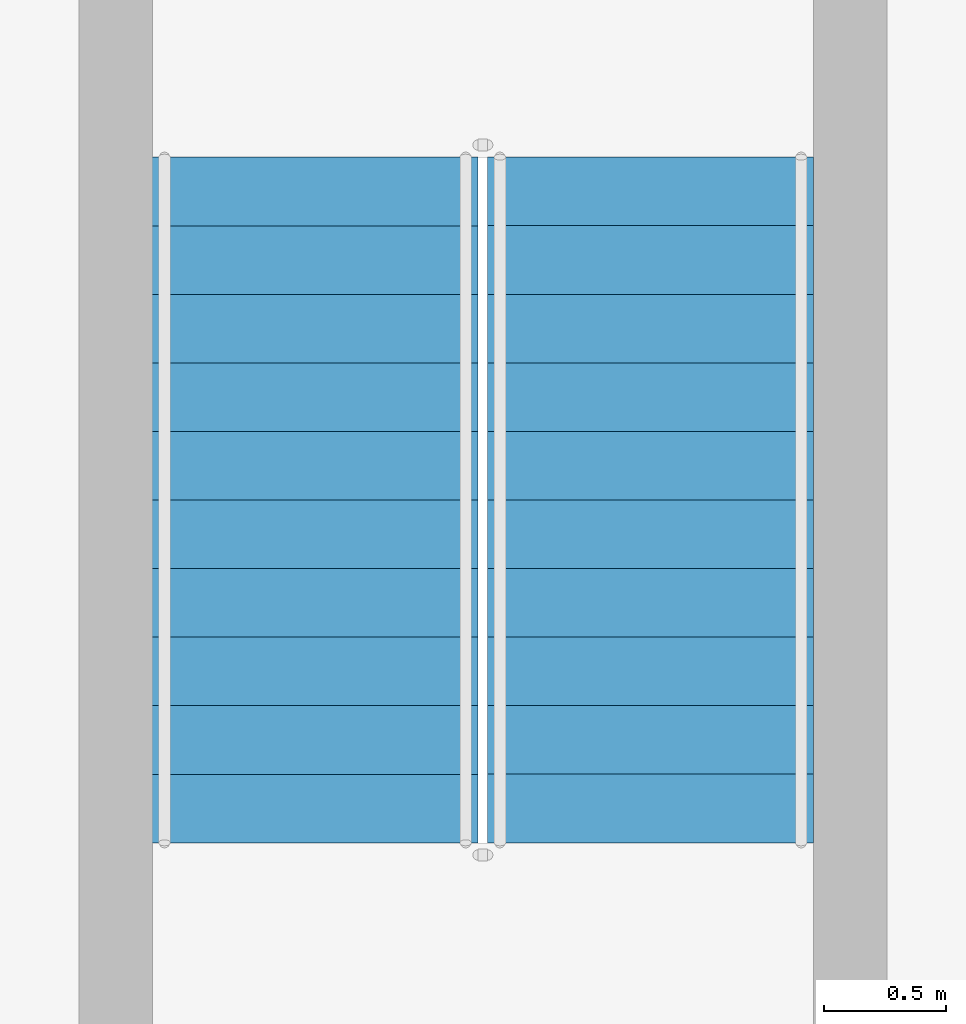
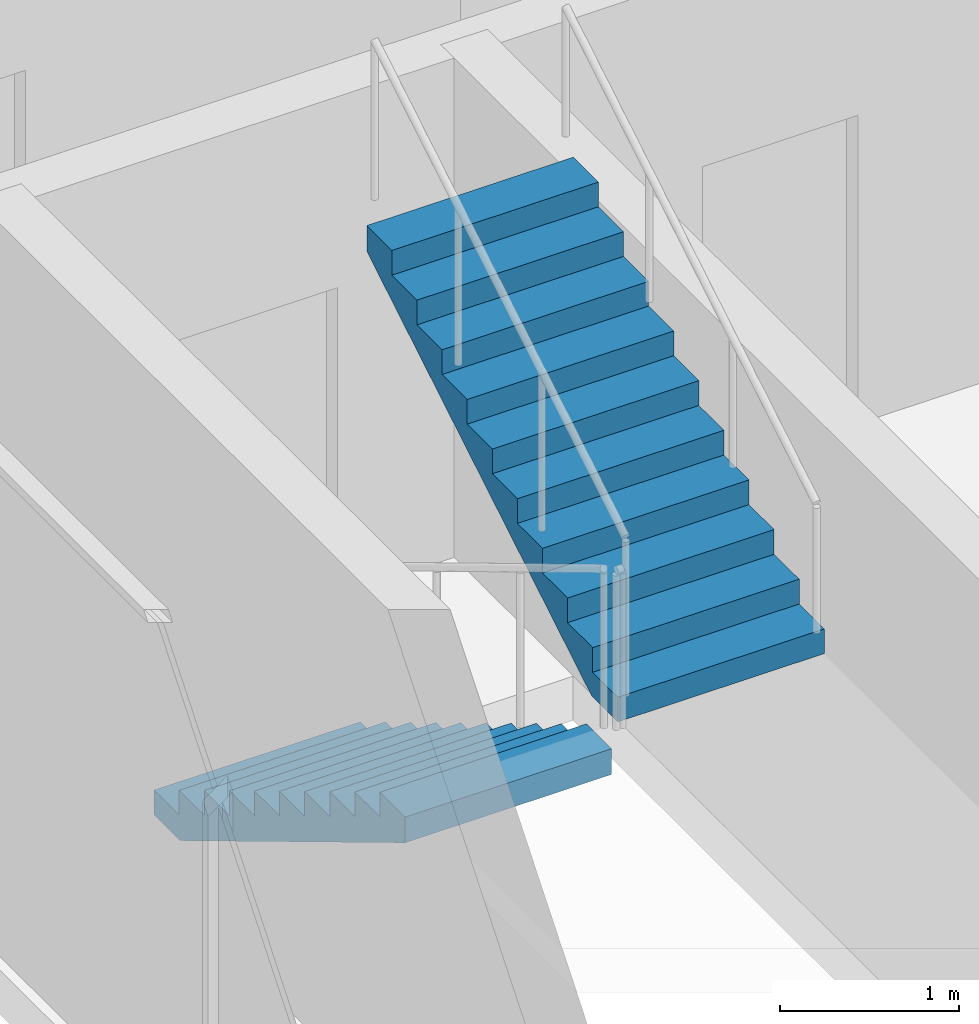
# One storey, part 15 of 23: 2 stair flights, 1 element without a shape of its own.
"""IFC4 building model written with IfcOpenShell, lengths in metres."""

from ifc_helpers import new_model, si_unit, direction, frame, origin, place, context, subcontext, project, spatial, triangles, source, transform, mapped, material, type_object, element, aggregate, save


model = new_model("IFC4")

# Units and contexts
model_context = context("Model", 3, precision=1e-05, world=origin(), true_north=direction((0.0, 1.0)))
body_context = subcontext(model_context, "Body", "Model", "MODEL_VIEW")
ifc_project = project(units=[si_unit("LENGTHUNIT", "METRE"), si_unit("AREAUNIT", "SQUARE_METRE"), si_unit("VOLUMEUNIT", "CUBIC_METRE"), si_unit("PLANEANGLEUNIT", "RADIAN"), si_unit("MASSUNIT", "GRAM", prefix="KILO")], contexts=[model_context])

# Site, building, storey
site_placement = place(None, origin())
site = spatial("IfcSite", under=ifc_project, at=site_placement, CompositionType="ELEMENT")
building_placement = place(site_placement, origin())
building = spatial("IfcBuilding", under=site, at=building_placement, Name="Ogive Portal Towers", CompositionType="ELEMENT")
storey_placement = place(building_placement, frame((0.0, 0.0, 168.10009765625)))
storey = spatial("IfcBuildingStorey", under=building, at=storey_placement, Name="L41", CompositionType="ELEMENT", Elevation=168.10009765625)

# Stair, stair flights
ifc_material = material(Name="Concrete C40/50", Category="concrete")
stair_type = type_object("IfcStairType", Name="INT-STAIR", PredefinedType="HALF_TURN_STAIR", material=ifc_material)
stair_placement = place(storey_placement, origin())
stair = element("IfcStair", 1, at=stair_placement, inside=storey, type_object=stair_type, Name="L41 Exit Stair ST-A4", PredefinedType="HALF_TURN_STAIR")
stair_flight_type = type_object("IfcStairFlightType", Name="INT-FLIGHT", PredefinedType="STRAIGHT", material=ifc_material)
shared_shape = source(origin(), body_context, "Body", "Tessellation", [
    triangles([(0.0, -0.6650390625, 0.0), (0.0, -0.384765625, 0.0), (0.0, -0.197021484375, 0.0), (0.0, -0.0830078125, 0.0), (0.0, -0.024658203125, 0.0), (0.0, -0.003173828125, 0.0), (0.0, 0.0, 0.0), (0.0, 0.003173828125, 0.0), (0.0, 0.024658203125, 0.0), (0.0, 0.0830078125, 0.0), (0.0, 0.197021484375, 0.0), (0.0, 0.384765625, 0.0), (0.0, 0.6650390625, 0.0), (0.0, -0.6650390625, 0.168212890625), (0.0, -0.384765625, 0.168212890625), (0.0, -0.197021484375, 0.168212890625), (0.0, -0.0830078125, 0.168212890625), (0.0, -0.024658203125, 0.168212890625), (0.0, -0.003173828125, 0.168212890625), (0.0, 0.0, 0.168212890625), (0.0, 0.003173828125, 0.168212890625), (0.0, 0.024658203125, 0.168212890625), (0.0, 0.0830078125, 0.168212890625), (0.0, 0.197021484375, 0.168212890625), (0.0, 0.384765625, 0.168212890625), (0.0, 0.6650390625, 0.168212890625), (0.280029296875, -0.6650390625, 0.168212890625), (0.280029296875, -0.384765625, 0.168212890625), (0.280029296875, -0.197021484375, 0.168212890625), (0.280029296875, -0.0830078125, 0.168212890625), (0.280029296875, -0.024658203125, 0.168212890625), (0.280029296875, -0.003173828125, 0.168212890625), (0.280029296875, 0.0, 0.168212890625), (0.280029296875, 0.003173828125, 0.168212890625), (0.280029296875, 0.024658203125, 0.168212890625), (0.280029296875, 0.0830078125, 0.168212890625), (0.280029296875, 0.197021484375, 0.168212890625), (0.280029296875, 0.384765625, 0.168212890625), (0.280029296875, 0.6650390625, 0.168212890625), (0.280029296875, -0.6650390625, 0.33642578125), (0.280029296875, -0.384765625, 0.33642578125), (0.280029296875, -0.197021484375, 0.33642578125), (0.280029296875, -0.0830078125, 0.33642578125), (0.280029296875, -0.024658203125, 0.33642578125), (0.280029296875, -0.003173828125, 0.33642578125), (0.280029296875, 0.0, 0.33642578125), (0.280029296875, 0.003173828125, 0.33642578125), (0.280029296875, 0.024658203125, 0.33642578125), (0.280029296875, 0.0830078125, 0.33642578125), (0.280029296875, 0.197021484375, 0.33642578125), (0.280029296875, 0.384765625, 0.33642578125), (0.280029296875, 0.6650390625, 0.33642578125), (0.56005859375, -0.6650390625, 0.33642578125), (0.56005859375, -0.384765625, 0.33642578125), (0.56005859375, -0.197021484375, 0.33642578125), (0.56005859375, -0.0830078125, 0.33642578125), (0.56005859375, -0.024658203125, 0.33642578125), (0.56005859375, -0.003173828125, 0.33642578125), (0.56005859375, 0.0, 0.33642578125), (0.56005859375, 0.003173828125, 0.33642578125), (0.56005859375, 0.024658203125, 0.33642578125), (0.56005859375, 0.0830078125, 0.33642578125), (0.56005859375, 0.197021484375, 0.33642578125), (0.56005859375, 0.384765625, 0.33642578125), (0.56005859375, 0.6650390625, 0.33642578125), (0.56005859375, -0.6650390625, 0.504638671875), (0.56005859375, -0.384765625, 0.504638671875), (0.56005859375, -0.197021484375, 0.504638671875), (0.56005859375, -0.0830078125, 0.504638671875), (0.56005859375, -0.024658203125, 0.504638671875), (0.56005859375, -0.003173828125, 0.504638671875), (0.56005859375, 0.0, 0.504638671875), (0.56005859375, 0.003173828125, 0.504638671875), (0.56005859375, 0.024658203125, 0.504638671875), (0.56005859375, 0.0830078125, 0.504638671875), (0.56005859375, 0.197021484375, 0.504638671875), (0.56005859375, 0.384765625, 0.504638671875), (0.56005859375, 0.6650390625, 0.504638671875), (0.840087890625, -0.6650390625, 0.504638671875), (0.840087890625, -0.384765625, 0.504638671875), (0.840087890625, -0.197021484375, 0.504638671875), (0.840087890625, -0.0830078125, 0.504638671875), (0.840087890625, -0.024658203125, 0.504638671875), (0.840087890625, -0.003173828125, 0.504638671875), (0.840087890625, 0.0, 0.504638671875), (0.840087890625, 0.003173828125, 0.504638671875), (0.840087890625, 0.024658203125, 0.504638671875), (0.840087890625, 0.0830078125, 0.504638671875), (0.840087890625, 0.197021484375, 0.504638671875), (0.840087890625, 0.384765625, 0.504638671875), (0.840087890625, 0.6650390625, 0.504638671875), (0.840087890625, -0.6650390625, 0.672607421875), (0.840087890625, -0.384765625, 0.672607421875), (0.840087890625, -0.197021484375, 0.672607421875), (0.840087890625, -0.0830078125, 0.672607421875), (0.840087890625, -0.024658203125, 0.672607421875), (0.840087890625, -0.003173828125, 0.672607421875), (0.840087890625, 0.0, 0.672607421875), (0.840087890625, 0.003173828125, 0.672607421875), (0.840087890625, 0.024658203125, 0.672607421875), (0.840087890625, 0.0830078125, 0.672607421875), (0.840087890625, 0.197021484375, 0.672607421875), (0.840087890625, 0.384765625, 0.672607421875), (0.840087890625, 0.6650390625, 0.672607421875), (1.1201171875, -0.6650390625, 0.672607421875), (1.1201171875, -0.384765625, 0.672607421875), (1.1201171875, -0.197021484375, 0.672607421875), (1.1201171875, -0.0830078125, 0.672607421875), (1.1201171875, -0.024658203125, 0.672607421875), (1.1201171875, -0.003173828125, 0.672607421875), (1.1201171875, 0.0, 0.672607421875), (1.1201171875, 0.003173828125, 0.672607421875), (1.1201171875, 0.024658203125, 0.672607421875), (1.1201171875, 0.0830078125, 0.672607421875), (1.1201171875, 0.197021484375, 0.672607421875), (1.1201171875, 0.384765625, 0.672607421875), (1.1201171875, 0.6650390625, 0.672607421875), (1.1201171875, -0.6650390625, 0.8408203125), (1.1201171875, -0.384765625, 0.8408203125), (1.1201171875, -0.197021484375, 0.8408203125), (1.1201171875, -0.0830078125, 0.8408203125), (1.1201171875, -0.024658203125, 0.8408203125), (1.1201171875, -0.003173828125, 0.8408203125), (1.1201171875, 0.0, 0.8408203125), (1.1201171875, 0.003173828125, 0.8408203125), (1.1201171875, 0.024658203125, 0.8408203125), (1.1201171875, 0.0830078125, 0.8408203125), (1.1201171875, 0.197021484375, 0.8408203125), (1.1201171875, 0.384765625, 0.8408203125), (1.1201171875, 0.6650390625, 0.8408203125), (1.39990234375, -0.6650390625, 0.8408203125), (1.39990234375, -0.384765625, 0.8408203125), (1.39990234375, -0.197021484375, 0.8408203125), (1.39990234375, -0.0830078125, 0.8408203125), (1.39990234375, -0.024658203125, 0.8408203125), (1.39990234375, -0.003173828125, 0.8408203125), (1.39990234375, 0.0, 0.8408203125), (1.39990234375, 0.003173828125, 0.8408203125), (1.39990234375, 0.024658203125, 0.8408203125), (1.39990234375, 0.0830078125, 0.8408203125), (1.39990234375, 0.197021484375, 0.8408203125), (1.39990234375, 0.384765625, 0.8408203125), (1.39990234375, 0.6650390625, 0.8408203125), (1.39990234375, -0.6650390625, 1.009033203125), (1.39990234375, -0.384765625, 1.009033203125), (1.39990234375, -0.197021484375, 1.009033203125), (1.39990234375, -0.0830078125, 1.009033203125), (1.39990234375, -0.024658203125, 1.009033203125), (1.39990234375, -0.003173828125, 1.009033203125), (1.39990234375, 0.0, 1.009033203125), (1.39990234375, 0.003173828125, 1.009033203125), (1.39990234375, 0.024658203125, 1.009033203125), (1.39990234375, 0.0830078125, 1.009033203125), (1.39990234375, 0.197021484375, 1.009033203125), (1.39990234375, 0.384765625, 1.009033203125), (1.39990234375, 0.6650390625, 1.009033203125), (1.679931640625, -0.6650390625, 1.009033203125), (1.679931640625, -0.384765625, 1.009033203125), (1.679931640625, -0.197021484375, 1.009033203125), (1.679931640625, -0.0830078125, 1.009033203125), (1.679931640625, -0.024658203125, 1.009033203125), (1.679931640625, -0.003173828125, 1.009033203125), (1.679931640625, 0.0, 1.009033203125), (1.679931640625, 0.003173828125, 1.009033203125), (1.679931640625, 0.024658203125, 1.009033203125), (1.679931640625, 0.0830078125, 1.009033203125), (1.679931640625, 0.197021484375, 1.009033203125), (1.679931640625, 0.384765625, 1.009033203125), (1.679931640625, 0.6650390625, 1.009033203125), (1.679931640625, -0.6650390625, 1.17724609375), (1.679931640625, -0.384765625, 1.17724609375), (1.679931640625, -0.197021484375, 1.17724609375), (1.679931640625, -0.0830078125, 1.17724609375), (1.679931640625, -0.024658203125, 1.17724609375), (1.679931640625, -0.003173828125, 1.17724609375), (1.679931640625, 0.0, 1.17724609375), (1.679931640625, 0.003173828125, 1.17724609375), (1.679931640625, 0.024658203125, 1.17724609375), (1.679931640625, 0.0830078125, 1.17724609375), (1.679931640625, 0.197021484375, 1.17724609375), (1.679931640625, 0.384765625, 1.17724609375), (1.679931640625, 0.6650390625, 1.17724609375), (1.9599609375, -0.6650390625, 1.17724609375), (1.9599609375, -0.384765625, 1.17724609375), (1.9599609375, -0.197021484375, 1.17724609375), (1.9599609375, -0.0830078125, 1.17724609375), (1.9599609375, -0.024658203125, 1.17724609375), (1.9599609375, -0.003173828125, 1.17724609375), (1.9599609375, 0.0, 1.17724609375), (1.9599609375, 0.003173828125, 1.17724609375), (1.9599609375, 0.024658203125, 1.17724609375), (1.9599609375, 0.0830078125, 1.17724609375), (1.9599609375, 0.197021484375, 1.17724609375), (1.9599609375, 0.384765625, 1.17724609375), (1.9599609375, 0.6650390625, 1.17724609375), (1.9599609375, -0.6650390625, 1.345458984375), (1.9599609375, -0.384765625, 1.345458984375), (1.9599609375, -0.197021484375, 1.345458984375), (1.9599609375, -0.0830078125, 1.345458984375), (1.9599609375, -0.024658203125, 1.345458984375), (1.9599609375, -0.003173828125, 1.345458984375), (1.9599609375, 0.0, 1.345458984375), (1.9599609375, 0.003173828125, 1.345458984375), (1.9599609375, 0.024658203125, 1.345458984375), (1.9599609375, 0.0830078125, 1.345458984375), (1.9599609375, 0.197021484375, 1.345458984375), (1.9599609375, 0.384765625, 1.345458984375), (1.9599609375, 0.6650390625, 1.345458984375), (2.239990234375, -0.6650390625, 1.345458984375), (2.239990234375, -0.384765625, 1.345458984375), (2.239990234375, -0.197021484375, 1.345458984375), (2.239990234375, -0.0830078125, 1.345458984375), (2.239990234375, -0.024658203125, 1.345458984375), (2.239990234375, -0.003173828125, 1.345458984375), (2.239990234375, 0.0, 1.345458984375), (2.239990234375, 0.003173828125, 1.345458984375), (2.239990234375, 0.024658203125, 1.345458984375), (2.239990234375, 0.0830078125, 1.345458984375), (2.239990234375, 0.197021484375, 1.345458984375), (2.239990234375, 0.384765625, 1.345458984375), (2.239990234375, 0.6650390625, 1.345458984375), (2.239990234375, -0.6650390625, 1.513671875), (2.239990234375, -0.384765625, 1.513671875), (2.239990234375, -0.197021484375, 1.513671875), (2.239990234375, -0.0830078125, 1.513671875), (2.239990234375, -0.024658203125, 1.513671875), (2.239990234375, -0.003173828125, 1.513671875), (2.239990234375, 0.0, 1.513671875), (2.239990234375, 0.003173828125, 1.513671875), (2.239990234375, 0.024658203125, 1.513671875), (2.239990234375, 0.0830078125, 1.513671875), (2.239990234375, 0.197021484375, 1.513671875), (2.239990234375, 0.384765625, 1.513671875), (2.239990234375, 0.6650390625, 1.513671875), (2.52001953125, -0.6650390625, 1.513671875), (2.52001953125, -0.384765625, 1.513671875), (2.52001953125, -0.197021484375, 1.513671875), (2.52001953125, -0.0830078125, 1.513671875), (2.52001953125, -0.024658203125, 1.513671875), (2.52001953125, -0.003173828125, 1.513671875), (2.52001953125, 0.0, 1.513671875), (2.52001953125, 0.003173828125, 1.513671875), (2.52001953125, 0.024658203125, 1.513671875), (2.52001953125, 0.0830078125, 1.513671875), (2.52001953125, 0.197021484375, 1.513671875), (2.52001953125, 0.384765625, 1.513671875), (2.52001953125, 0.6650390625, 1.513671875), (2.52001953125, -0.6650390625, 1.681884765625), (2.52001953125, -0.384765625, 1.681884765625), (2.52001953125, -0.197021484375, 1.681884765625), (2.52001953125, -0.0830078125, 1.681884765625), (2.52001953125, -0.024658203125, 1.681884765625), (2.52001953125, -0.003173828125, 1.681884765625), (2.52001953125, 0.0, 1.681884765625), (2.52001953125, 0.003173828125, 1.681884765625), (2.52001953125, 0.024658203125, 1.681884765625), (2.52001953125, 0.0830078125, 1.681884765625), (2.52001953125, 0.197021484375, 1.681884765625), (2.52001953125, 0.384765625, 1.681884765625), (2.52001953125, 0.6650390625, 1.681884765625), (2.800048828125, -0.6650390625, 1.681884765625), (2.800048828125, -0.384765625, 1.681884765625), (2.800048828125, -0.197021484375, 1.681884765625), (2.800048828125, -0.0830078125, 1.681884765625), (2.800048828125, -0.024658203125, 1.681884765625), (2.800048828125, -0.003173828125, 1.681884765625), (2.800048828125, 0.0, 1.681884765625), (2.800048828125, 0.003173828125, 1.681884765625), (2.800048828125, 0.024658203125, 1.681884765625), (2.800048828125, 0.0830078125, 1.681884765625), (2.800048828125, 0.197021484375, 1.681884765625), (2.800048828125, 0.384765625, 1.681884765625), (2.800048828125, 0.6650390625, 1.681884765625), (2.800048828125, -0.6650390625, 1.5068359375), (2.800048828125, -0.384765625, 1.5068359375), (2.800048828125, -0.197021484375, 1.5068359375), (2.800048828125, -0.0830078125, 1.5068359375), (2.800048828125, -0.024658203125, 1.5068359375), (2.800048828125, -0.003173828125, 1.5068359375), (2.800048828125, 0.0, 1.5068359375), (2.800048828125, 0.003173828125, 1.5068359375), (2.800048828125, 0.024658203125, 1.5068359375), (2.800048828125, 0.0830078125, 1.5068359375), (2.800048828125, 0.197021484375, 1.5068359375), (2.800048828125, 0.384765625, 1.5068359375), (2.800048828125, 0.6650390625, 1.5068359375), (0.291015625, -0.6650390625, 0.0), (0.291015625, -0.384765625, 0.0), (0.291015625, -0.197021484375, 0.0), (0.291015625, -0.0830078125, 0.0), (0.291015625, -0.024658203125, 0.0), (0.291015625, -0.003173828125, 0.0), (0.291015625, 0.0, 0.0), (0.291015625, 0.003173828125, 0.0), (0.291015625, 0.024658203125, 0.0), (0.291015625, 0.0830078125, 0.0), (0.291015625, 0.197021484375, 0.0), (0.291015625, 0.384765625, 0.0), (0.291015625, 0.6650390625, 0.0)], [[1, 14, 15], [1, 15, 2], [2, 15, 16], [2, 16, 3], [3, 16, 17], [3, 17, 4], [4, 17, 18], [4, 18, 5], [5, 18, 19], [5, 19, 6], [6, 19, 20], [6, 20, 7], [7, 20, 21], [7, 21, 8], [8, 21, 22], [8, 22, 9], [9, 22, 23], [9, 23, 10], [10, 23, 24], [10, 24, 11], [11, 24, 25], [11, 25, 12], [12, 25, 26], [12, 26, 13], [14, 27, 28], [14, 28, 15], [15, 28, 29], [15, 29, 16], [16, 29, 30], [16, 30, 17], [17, 30, 31], [17, 31, 18], [18, 31, 32], [18, 32, 19], [19, 32, 33], [19, 33, 20], [20, 33, 34], [20, 34, 21], [21, 34, 35], [21, 35, 22], [22, 35, 36], [22, 36, 23], [23, 36, 37], [23, 37, 24], [24, 37, 38], [24, 38, 25], [25, 38, 39], [25, 39, 26], [27, 40, 41], [27, 41, 28], [28, 41, 42], [28, 42, 29], [29, 42, 43], [29, 43, 30], [30, 43, 44], [30, 44, 31], [31, 44, 45], [31, 45, 32], [32, 45, 46], [32, 46, 33], [33, 46, 47], [33, 47, 34], [34, 47, 48], [34, 48, 35], [35, 48, 49], [35, 49, 36], [36, 49, 50], [36, 50, 37], [37, 50, 51], [37, 51, 38], [38, 51, 52], [38, 52, 39], [40, 53, 54], [40, 54, 41], [41, 54, 55], [41, 55, 42], [42, 55, 56], [42, 56, 43], [43, 56, 57], [43, 57, 44], [44, 57, 58], [44, 58, 45], [45, 58, 59], [45, 59, 46], [46, 59, 60], [46, 60, 47], [47, 60, 61], [47, 61, 48], [48, 61, 62], [48, 62, 49], [49, 62, 63], [49, 63, 50], [50, 63, 64], [50, 64, 51], [51, 64, 65], [51, 65, 52], [53, 66, 67], [53, 67, 54], [54, 67, 68], [54, 68, 55], [55, 68, 69], [55, 69, 56], [56, 69, 70], [56, 70, 57], [57, 70, 71], [57, 71, 58], [58, 71, 72], [58, 72, 59], [59, 72, 73], [59, 73, 60], [60, 73, 74], [60, 74, 61], [61, 74, 75], [61, 75, 62], [62, 75, 76], [62, 76, 63], [63, 76, 77], [63, 77, 64], [64, 77, 78], [64, 78, 65], [66, 79, 80], [66, 80, 67], [67, 80, 81], [67, 81, 68], [68, 81, 82], [68, 82, 69], [69, 82, 83], [69, 83, 70], [70, 83, 84], [70, 84, 71], [71, 84, 85], [71, 85, 72], [72, 85, 86], [72, 86, 73], [73, 86, 87], [73, 87, 74], [74, 87, 88], [74, 88, 75], [75, 88, 89], [75, 89, 76], [76, 89, 90], [76, 90, 77], [77, 90, 91], [77, 91, 78], [79, 92, 93], [79, 93, 80], [80, 93, 94], [80, 94, 81], [81, 94, 95], [81, 95, 82], [82, 95, 96], [82, 96, 83], [83, 96, 97], [83, 97, 84], [84, 97, 98], [84, 98, 85], [85, 98, 99], [85, 99, 86], [86, 99, 100], [86, 100, 87], [87, 100, 101], [87, 101, 88], [88, 101, 102], [88, 102, 89], [89, 102, 103], [89, 103, 90], [90, 103, 104], [90, 104, 91], [92, 105, 106], [92, 106, 93], [93, 106, 107], [93, 107, 94], [94, 107, 108], [94, 108, 95], [95, 108, 109], [95, 109, 96], [96, 109, 110], [96, 110, 97], [97, 110, 111], [97, 111, 98], [98, 111, 112], [98, 112, 99], [99, 112, 113], [99, 113, 100], [100, 113, 114], [100, 114, 101], [101, 114, 115], [101, 115, 102], [102, 115, 116], [102, 116, 103], [103, 116, 117], [103, 117, 104], [105, 118, 119], [105, 119, 106], [106, 119, 120], [106, 120, 107], [107, 120, 121], [107, 121, 108], [108, 121, 122], [108, 122, 109], [109, 122, 123], [109, 123, 110], [110, 123, 124], [110, 124, 111], [111, 124, 125], [111, 125, 112], [112, 125, 126], [112, 126, 113], [113, 126, 127], [113, 127, 114], [114, 127, 128], [114, 128, 115], [115, 128, 129], [115, 129, 116], [116, 129, 130], [116, 130, 117], [118, 131, 132], [118, 132, 119], [119, 132, 133], [119, 133, 120], [120, 133, 134], [120, 134, 121], [121, 134, 135], [121, 135, 122], [122, 135, 136], [122, 136, 123], [123, 136, 137], [123, 137, 124], [124, 137, 138], [124, 138, 125], [125, 138, 139], [125, 139, 126], [126, 139, 140], [126, 140, 127], [127, 140, 141], [127, 141, 128], [128, 141, 142], [128, 142, 129], [129, 142, 143], [129, 143, 130], [131, 144, 145], [131, 145, 132], [132, 145, 146], [132, 146, 133], [133, 146, 147], [133, 147, 134], [134, 147, 148], [134, 148, 135], [135, 148, 149], [135, 149, 136], [136, 149, 150], [136, 150, 137], [137, 150, 151], [137, 151, 138], [138, 151, 152], [138, 152, 139], [139, 152, 153], [139, 153, 140], [140, 153, 154], [140, 154, 141], [141, 154, 155], [141, 155, 142], [142, 155, 156], [142, 156, 143], [144, 157, 158], [144, 158, 145], [145, 158, 159], [145, 159, 146], [146, 159, 160], [146, 160, 147], [147, 160, 161], [147, 161, 148], [148, 161, 162], [148, 162, 149], [149, 162, 163], [149, 163, 150], [150, 163, 164], [150, 164, 151], [151, 164, 165], [151, 165, 152], [152, 165, 166], [152, 166, 153], [153, 166, 167], [153, 167, 154], [154, 167, 168], [154, 168, 155], [155, 168, 169], [155, 169, 156], [157, 170, 171], [157, 171, 158], [158, 171, 172], [158, 172, 159], [159, 172, 173], [159, 173, 160], [160, 173, 174], [160, 174, 161], [161, 174, 175], [161, 175, 162], [162, 175, 176], [162, 176, 163], [163, 176, 177], [163, 177, 164], [164, 177, 178], [164, 178, 165], [165, 178, 179], [165, 179, 166], [166, 179, 180], [166, 180, 167], [167, 180, 181], [167, 181, 168], [168, 181, 182], [168, 182, 169], [170, 183, 184], [170, 184, 171], [171, 184, 185], [171, 185, 172], [172, 185, 186], [172, 186, 173], [173, 186, 187], [173, 187, 174], [174, 187, 188], [174, 188, 175], [175, 188, 189], [175, 189, 176], [176, 189, 190], [176, 190, 177], [177, 190, 191], [177, 191, 178], [178, 191, 192], [178, 192, 179], [179, 192, 193], [179, 193, 180], [180, 193, 194], [180, 194, 181], [181, 194, 195], [181, 195, 182], [183, 196, 197], [183, 197, 184], [184, 197, 198], [184, 198, 185], [185, 198, 199], [185, 199, 186], [186, 199, 200], [186, 200, 187], [187, 200, 201], [187, 201, 188], [188, 201, 202], [188, 202, 189], [189, 202, 203], [189, 203, 190], [190, 203, 204], [190, 204, 191], [191, 204, 205], [191, 205, 192], [192, 205, 206], [192, 206, 193], [193, 206, 207], [193, 207, 194], [194, 207, 208], [194, 208, 195], [196, 209, 210], [196, 210, 197], [197, 210, 211], [197, 211, 198], [198, 211, 212], [198, 212, 199], [199, 212, 213], [199, 213, 200], [200, 213, 214], [200, 214, 201], [201, 214, 215], [201, 215, 202], [202, 215, 216], [202, 216, 203], [203, 216, 217], [203, 217, 204], [204, 217, 218], [204, 218, 205], [205, 218, 219], [205, 219, 206], [206, 219, 220], [206, 220, 207], [207, 220, 221], [207, 221, 208], [209, 222, 223], [209, 223, 210], [210, 223, 224], [210, 224, 211], [211, 224, 225], [211, 225, 212], [212, 225, 226], [212, 226, 213], [213, 226, 227], [213, 227, 214], [214, 227, 228], [214, 228, 215], [215, 228, 229], [215, 229, 216], [216, 229, 230], [216, 230, 217], [217, 230, 231], [217, 231, 218], [218, 231, 232], [218, 232, 219], [219, 232, 233], [219, 233, 220], [220, 233, 234], [220, 234, 221], [222, 235, 236], [222, 236, 223], [223, 236, 237], [223, 237, 224], [224, 237, 238], [224, 238, 225], [225, 238, 239], [225, 239, 226], [226, 239, 240], [226, 240, 227], [227, 240, 241], [227, 241, 228], [228, 241, 242], [228, 242, 229], [229, 242, 243], [229, 243, 230], [230, 243, 244], [230, 244, 231], [231, 244, 245], [231, 245, 232], [232, 245, 246], [232, 246, 233], [233, 246, 247], [233, 247, 234], [235, 248, 249], [235, 249, 236], [236, 249, 250], [236, 250, 237], [237, 250, 251], [237, 251, 238], [238, 251, 252], [238, 252, 239], [239, 252, 253], [239, 253, 240], [240, 253, 254], [240, 254, 241], [241, 254, 255], [241, 255, 242], [242, 255, 256], [242, 256, 243], [243, 256, 257], [243, 257, 244], [244, 257, 258], [244, 258, 245], [245, 258, 259], [245, 259, 246], [246, 259, 260], [246, 260, 247], [248, 261, 262], [248, 262, 249], [249, 262, 263], [249, 263, 250], [250, 263, 264], [250, 264, 251], [251, 264, 265], [251, 265, 252], [252, 265, 266], [252, 266, 253], [253, 266, 267], [253, 267, 254], [254, 267, 268], [254, 268, 255], [255, 268, 269], [255, 269, 256], [256, 269, 270], [256, 270, 257], [257, 270, 271], [257, 271, 258], [258, 271, 272], [258, 272, 259], [259, 272, 273], [259, 273, 260], [261, 274, 275], [261, 275, 262], [262, 275, 276], [262, 276, 263], [263, 276, 277], [263, 277, 264], [264, 277, 278], [264, 278, 265], [265, 278, 279], [265, 279, 266], [266, 279, 280], [266, 280, 267], [267, 280, 281], [267, 281, 268], [268, 281, 282], [268, 282, 269], [269, 282, 283], [269, 283, 270], [270, 283, 284], [270, 284, 271], [271, 284, 285], [271, 285, 272], [272, 285, 286], [272, 286, 273], [274, 287, 288], [274, 288, 275], [275, 288, 289], [275, 289, 276], [276, 289, 290], [276, 290, 277], [277, 290, 291], [277, 291, 278], [278, 291, 292], [278, 292, 279], [279, 292, 293], [279, 293, 280], [280, 293, 294], [280, 294, 281], [281, 294, 295], [281, 295, 282], [282, 295, 296], [282, 296, 283], [283, 296, 297], [283, 297, 284], [284, 297, 298], [284, 298, 285], [285, 298, 299], [285, 299, 286], [287, 1, 2], [287, 2, 288], [288, 2, 3], [288, 3, 289], [289, 3, 4], [289, 4, 290], [290, 4, 5], [290, 5, 291], [291, 5, 6], [291, 6, 292], [292, 6, 7], [292, 7, 293], [293, 7, 8], [293, 8, 294], [294, 8, 9], [294, 9, 295], [295, 9, 10], [295, 10, 296], [296, 10, 11], [296, 11, 297], [297, 11, 12], [297, 12, 298], [298, 12, 13], [298, 13, 299], [1, 287, 274], [13, 286, 299], [274, 261, 248], [286, 260, 273], [274, 248, 235], [286, 247, 260], [274, 235, 222], [286, 234, 247], [274, 222, 209], [286, 221, 234], [209, 196, 183], [221, 195, 208], [274, 209, 183], [286, 195, 221], [183, 170, 157], [195, 169, 182], [274, 183, 157], [286, 169, 195], [157, 144, 131], [169, 143, 156], [274, 157, 131], [286, 143, 169], [131, 118, 105], [143, 117, 130], [274, 131, 105], [286, 117, 143], [1, 274, 105], [13, 117, 286], [105, 92, 79], [117, 91, 104], [79, 66, 53], [91, 65, 78], [105, 79, 53], [117, 65, 91], [53, 40, 27], [65, 39, 52], [105, 53, 27], [117, 39, 65], [1, 105, 27], [13, 39, 117], [27, 14, 1], [39, 13, 26]], closed=True),
])
stair_flight_1_placement = place(storey_placement, frame((87.6650390625, 29.169921875, 0.0), z_axis=(0.0, 0.0, 1.0), x_axis=(0.0, -1.0, 0.0)))
stair_flight_1 = element("IfcStairFlight", 2, at=stair_flight_1_placement, type_object=stair_flight_type, Name="ST-A4 flight 1", NumberOfRisers=11, NumberOfTreads=10, PredefinedType="STRAIGHT", RiserHeight=0.168181818, TreadLength=0.28, context=body_context, shape_type="MappedRepresentation", body=[
    mapped(shared_shape, transform((0.0, 0.0, 0.0), scale=1.0)),
])
stair_flight_2_placement = place(storey_placement, frame((89.034912109375, 26.3701171875, 1.849853515625), z_axis=(0.0, 0.0, 1.0), x_axis=(0.0, 1.0, 0.0)))
stair_flight_2 = element("IfcStairFlight", 3, at=stair_flight_2_placement, type_object=stair_flight_type, Name="ST-A4 flight 2", NumberOfRisers=11, NumberOfTreads=10, PredefinedType="STRAIGHT", RiserHeight=0.168181818, TreadLength=0.28, context=body_context, shape_type="MappedRepresentation", body=[
    mapped(shared_shape, transform((0.0, 0.0, 0.0), scale=1.0)),
])
aggregate(stair, [stair_flight_1, stair_flight_2])

save(model, "model.ifc")
